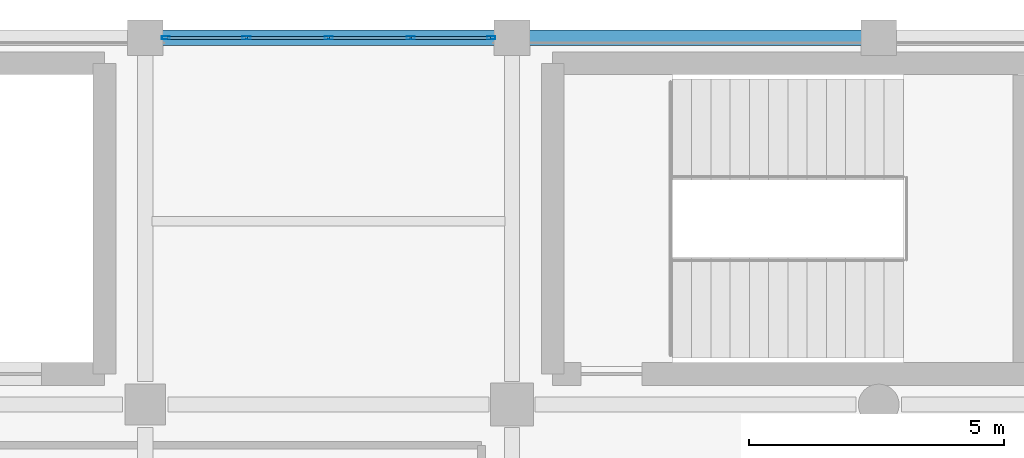
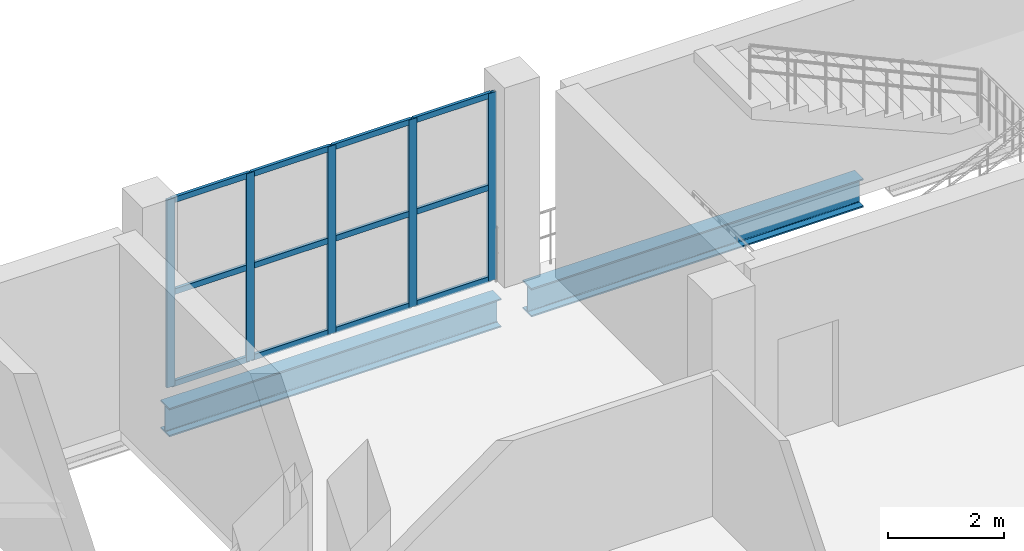
# One storey, part 114 of 153: 17 members, 2 beams, 1 element without a shape of its own.
"""IFC4 building model written with IfcOpenShell, lengths in metres."""

from ifc_helpers import new_model, si_unit, direction, frame, origin, origin_2d, place, context, subcontext, project, spatial, hollow_rectangle, i_section, extrude, material, material_profile, profile_set, type_object, element, aggregate, save


model = new_model("IFC4")

# Units and contexts
model_context = context("Model", 3, precision=1e-05, world=origin(), true_north=direction((0.0, 1.0)))
body_context = subcontext(model_context, "Body", "Model", "MODEL_VIEW")
ifc_project = project(units=[si_unit("LENGTHUNIT", "METRE"), si_unit("AREAUNIT", "SQUARE_METRE"), si_unit("VOLUMEUNIT", "CUBIC_METRE"), si_unit("PLANEANGLEUNIT", "RADIAN"), si_unit("MASSUNIT", "GRAM", prefix="KILO")], contexts=[model_context])

# Site, building, storey
site_placement = place(None, origin())
site = spatial("IfcSite", under=ifc_project, at=site_placement, CompositionType="ELEMENT")
building_placement = place(site_placement, origin())
building = spatial("IfcBuilding", under=site, at=building_placement, Name="Qandorah Velis Arena", CompositionType="ELEMENT")
storey_placement = place(building_placement, frame((0.0, 0.0, 5.39990234375)))
storey = spatial("IfcBuildingStorey", under=building, at=storey_placement, Name="L01", CompositionType="ELEMENT", Elevation=5.39990234375)

# Curtain wall, members
ifc_material_1 = material(Name="Solar-control low-E double glazing", Category="glass")
curtain_wall_type = type_object("IfcCurtainWallType", Name="ARC-CW-SYS11", PredefinedType="USERDEFINED", material=ifc_material_1)
curtain_wall_placement = place(storey_placement, origin())
curtain_wall = element("IfcCurtainWall", 1, at=curtain_wall_placement, inside=storey, type_object=curtain_wall_type, Name="Unitised curtain wall L01-083", ObjectType="UNITISED CURTAIN WALL", PredefinedType="USERDEFINED")
ifc_material_2 = material(Name="Champagne-bronze anodized aluminium 6063-T6", Category="aluminium")
ifc_material_profile_1 = material_profile(ifc_material_2, hollow_rectangle(XDim=0.06005859375, YDim=0.159912109375, WallThickness=0.00341796875, at=origin_2d()), Name="ALU MULLION 60x160")
ifc_profile_set_1 = profile_set([ifc_material_profile_1], Name="Champagne-bronze anodized aluminium 6063-T6")
member_type_1 = type_object("IfcMemberType", Name="ARC-CWM-160", PredefinedType="MULLION", material=ifc_profile_set_1)
member_1_placement = place(storey_placement, frame((65.205078125, 129.60009765625, -0.014892578125), z_axis=(0.0, 0.0, 1.0), x_axis=(0.0, 1.0, 0.0)))
member_1 = element("IfcMember", 2, at=member_1_placement, type_object=member_type_1, Name="CW11 mullion 1", PredefinedType="MULLION", context=body_context, shape_type="SweptSolid", body=[
    extrude(hollow_rectangle(XDim=0.06005859375, YDim=0.159912109375, WallThickness=0.00341796875, at=origin_2d()), origin(), (0.0, 0.0, 1.0), 3.949951171875),
])
member_2_placement = place(storey_placement, frame((66.78759765625, 129.60009765625, -0.014892578125), z_axis=(0.0, 0.0, 1.0), x_axis=(0.0, 1.0, 0.0)))
member_2 = element("IfcMember", 3, at=member_2_placement, type_object=member_type_1, Name="CW11 mullion 2", PredefinedType="MULLION", context=body_context, shape_type="SweptSolid", body=[
    extrude(hollow_rectangle(XDim=0.06005859375, YDim=0.159912109375, WallThickness=0.00341796875, at=origin_2d()), origin(), (0.0, 0.0, 1.0), 3.949951171875),
])
member_3_placement = place(storey_placement, frame((68.39990234375, 129.60009765625, -0.014892578125), z_axis=(0.0, 0.0, 1.0), x_axis=(0.0, 1.0, 0.0)))
member_3 = element("IfcMember", 4, at=member_3_placement, type_object=member_type_1, Name="CW11 mullion 3", PredefinedType="MULLION", context=body_context, shape_type="SweptSolid", body=[
    extrude(hollow_rectangle(XDim=0.06005859375, YDim=0.159912109375, WallThickness=0.00341796875, at=origin_2d()), origin(), (0.0, 0.0, 1.0), 3.949951171875),
])
member_4_placement = place(storey_placement, frame((70.012451171875, 129.60009765625, -0.014892578125), z_axis=(0.0, 0.0, 1.0), x_axis=(0.0, 1.0, 0.0)))
member_4 = element("IfcMember", 5, at=member_4_placement, type_object=member_type_1, Name="CW11 mullion 4", PredefinedType="MULLION", context=body_context, shape_type="SweptSolid", body=[
    extrude(hollow_rectangle(XDim=0.06005859375, YDim=0.159912109375, WallThickness=0.00341796875, at=origin_2d()), origin(), (0.0, 0.0, 1.0), 3.949951171875),
])
member_5_placement = place(storey_placement, frame((71.594970703125, 129.60009765625, -0.014892578125), z_axis=(0.0, 0.0, 1.0), x_axis=(0.0, 1.0, 0.0)))
member_5 = element("IfcMember", 6, at=member_5_placement, type_object=member_type_1, Name="CW11 mullion 5", PredefinedType="MULLION", context=body_context, shape_type="SweptSolid", body=[
    extrude(hollow_rectangle(XDim=0.06005859375, YDim=0.159912109375, WallThickness=0.00341796875, at=origin_2d()), origin(), (0.0, 0.0, 1.0), 3.949951171875),
])
ifc_material_profile_2 = material_profile(ifc_material_2, hollow_rectangle(XDim=0.06005859375, YDim=0.1201171875, WallThickness=0.0029296875, at=origin_2d()), Name="ALU TRANSOM 60x120")
ifc_profile_set_2 = profile_set([ifc_material_profile_2], Name="Champagne-bronze anodized aluminium 6063-T6")
member_type_2 = type_object("IfcMemberType", Name="ARC-CWT-120", PredefinedType="USERDEFINED", material=ifc_profile_set_2)
member_6_placement = place(storey_placement, frame((65.222900390625, 129.60009765625, 0.030029296875), z_axis=(1.0, 0.0, 0.0), x_axis=(0.0, 1.0, 0.0)))
member_6 = element("IfcMember", 7, at=member_6_placement, type_object=member_type_2, Name="CW11 transom 1.1", ObjectType="TRANSOM", PredefinedType="USERDEFINED", context=body_context, shape_type="SweptSolid", body=[
    extrude(hollow_rectangle(XDim=0.06005859375, YDim=0.1201171875, WallThickness=0.0029296875, at=origin_2d()), origin(), (0.0, 0.0, 1.0), 1.546630859375),
])
member_7_placement = place(storey_placement, frame((65.222900390625, 129.60009765625, 1.960205078125), z_axis=(1.0, 0.0, 0.0), x_axis=(0.0, 1.0, 0.0)))
member_7 = element("IfcMember", 8, at=member_7_placement, type_object=member_type_2, Name="CW11 transom 1.2", ObjectType="TRANSOM", PredefinedType="USERDEFINED", context=body_context, shape_type="SweptSolid", body=[
    extrude(hollow_rectangle(XDim=0.06005859375, YDim=0.1201171875, WallThickness=0.0029296875, at=origin_2d()), origin(), (0.0, 0.0, 1.0), 1.546630859375),
])
member_8_placement = place(storey_placement, frame((65.222900390625, 129.60009765625, 3.89013671875), z_axis=(1.0, 0.0, 0.0), x_axis=(0.0, 1.0, 0.0)))
member_8 = element("IfcMember", 9, at=member_8_placement, type_object=member_type_2, Name="CW11 transom 1.3", ObjectType="TRANSOM", PredefinedType="USERDEFINED", context=body_context, shape_type="SweptSolid", body=[
    extrude(hollow_rectangle(XDim=0.06005859375, YDim=0.1201171875, WallThickness=0.0029296875, at=origin_2d()), origin(), (0.0, 0.0, 1.0), 1.546630859375),
])
member_9_placement = place(storey_placement, frame((66.805419921875, 129.60009765625, 0.030029296875), z_axis=(1.0, 0.0, 0.0), x_axis=(0.0, 1.0, 0.0)))
member_9 = element("IfcMember", 10, at=member_9_placement, type_object=member_type_2, Name="CW11 transom 2.1", ObjectType="TRANSOM", PredefinedType="USERDEFINED", context=body_context, shape_type="SweptSolid", body=[
    extrude(hollow_rectangle(XDim=0.06005859375, YDim=0.1201171875, WallThickness=0.0029296875, at=origin_2d()), origin(), (0.0, 0.0, 1.0), 1.57666015625),
])
member_10_placement = place(storey_placement, frame((66.805419921875, 129.60009765625, 1.960205078125), z_axis=(1.0, 0.0, 0.0), x_axis=(0.0, 1.0, 0.0)))
member_10 = element("IfcMember", 11, at=member_10_placement, type_object=member_type_2, Name="CW11 transom 2.2", ObjectType="TRANSOM", PredefinedType="USERDEFINED", context=body_context, shape_type="SweptSolid", body=[
    extrude(hollow_rectangle(XDim=0.06005859375, YDim=0.1201171875, WallThickness=0.0029296875, at=origin_2d()), origin(), (0.0, 0.0, 1.0), 1.57666015625),
])
member_11_placement = place(storey_placement, frame((66.805419921875, 129.60009765625, 3.89013671875), z_axis=(1.0, 0.0, 0.0), x_axis=(0.0, 1.0, 0.0)))
member_11 = element("IfcMember", 12, at=member_11_placement, type_object=member_type_2, Name="CW11 transom 2.3", ObjectType="TRANSOM", PredefinedType="USERDEFINED", context=body_context, shape_type="SweptSolid", body=[
    extrude(hollow_rectangle(XDim=0.06005859375, YDim=0.1201171875, WallThickness=0.0029296875, at=origin_2d()), origin(), (0.0, 0.0, 1.0), 1.57666015625),
])
member_12_placement = place(storey_placement, frame((68.41796875, 129.60009765625, 0.030029296875), z_axis=(1.0, 0.0, 0.0), x_axis=(0.0, 1.0, 0.0)))
member_12 = element("IfcMember", 13, at=member_12_placement, type_object=member_type_2, Name="CW11 transom 3.1", ObjectType="TRANSOM", PredefinedType="USERDEFINED", context=body_context, shape_type="SweptSolid", body=[
    extrude(hollow_rectangle(XDim=0.06005859375, YDim=0.1201171875, WallThickness=0.0029296875, at=origin_2d()), origin(), (0.0, 0.0, 1.0), 1.576416015625),
])
member_13_placement = place(storey_placement, frame((68.41796875, 129.60009765625, 1.960205078125), z_axis=(1.0, 0.0, 0.0), x_axis=(0.0, 1.0, 0.0)))
member_13 = element("IfcMember", 14, at=member_13_placement, type_object=member_type_2, Name="CW11 transom 3.2", ObjectType="TRANSOM", PredefinedType="USERDEFINED", context=body_context, shape_type="SweptSolid", body=[
    extrude(hollow_rectangle(XDim=0.06005859375, YDim=0.1201171875, WallThickness=0.0029296875, at=origin_2d()), origin(), (0.0, 0.0, 1.0), 1.576416015625),
])
member_14_placement = place(storey_placement, frame((68.41796875, 129.60009765625, 3.89013671875), z_axis=(1.0, 0.0, 0.0), x_axis=(0.0, 1.0, 0.0)))
member_14 = element("IfcMember", 15, at=member_14_placement, type_object=member_type_2, Name="CW11 transom 3.3", ObjectType="TRANSOM", PredefinedType="USERDEFINED", context=body_context, shape_type="SweptSolid", body=[
    extrude(hollow_rectangle(XDim=0.06005859375, YDim=0.1201171875, WallThickness=0.0029296875, at=origin_2d()), origin(), (0.0, 0.0, 1.0), 1.576416015625),
])
member_15_placement = place(storey_placement, frame((70.030517578125, 129.60009765625, 0.030029296875), z_axis=(1.0, 0.0, 0.0), x_axis=(0.0, 1.0, 0.0)))
member_15 = element("IfcMember", 16, at=member_15_placement, type_object=member_type_2, Name="CW11 transom 4.1", ObjectType="TRANSOM", PredefinedType="USERDEFINED", context=body_context, shape_type="SweptSolid", body=[
    extrude(hollow_rectangle(XDim=0.06005859375, YDim=0.1201171875, WallThickness=0.0029296875, at=origin_2d()), origin(), (0.0, 0.0, 1.0), 1.54638671875),
])
member_16_placement = place(storey_placement, frame((70.030517578125, 129.60009765625, 1.960205078125), z_axis=(1.0, 0.0, 0.0), x_axis=(0.0, 1.0, 0.0)))
member_16 = element("IfcMember", 17, at=member_16_placement, type_object=member_type_2, Name="CW11 transom 4.2", ObjectType="TRANSOM", PredefinedType="USERDEFINED", context=body_context, shape_type="SweptSolid", body=[
    extrude(hollow_rectangle(XDim=0.06005859375, YDim=0.1201171875, WallThickness=0.0029296875, at=origin_2d()), origin(), (0.0, 0.0, 1.0), 1.54638671875),
])
member_17_placement = place(storey_placement, frame((70.030517578125, 129.60009765625, 3.89013671875), z_axis=(1.0, 0.0, 0.0), x_axis=(0.0, 1.0, 0.0)))
member_17 = element("IfcMember", 18, at=member_17_placement, type_object=member_type_2, Name="CW11 transom 4.3", ObjectType="TRANSOM", PredefinedType="USERDEFINED", context=body_context, shape_type="SweptSolid", body=[
    extrude(hollow_rectangle(XDim=0.06005859375, YDim=0.1201171875, WallThickness=0.0029296875, at=origin_2d()), origin(), (0.0, 0.0, 1.0), 1.54638671875),
])
aggregate(curtain_wall, [member_1, member_2, member_3, member_4, member_5, member_6, member_7, member_8, member_9, member_10, member_11, member_12, member_13, member_14, member_15, member_16, member_17])

# Beams
ifc_material_3 = material(Name="Steel S355", Category="steel")
ifc_material_profile_3 = material_profile(ifc_material_3, i_section(OverallWidth=0.300048828125, OverallDepth=0.60009765625, WebThickness=0.015380859375, FlangeThickness=0.030029296875, FilletRadius=0.027099609375, at=origin_2d()), Name="HEB 600")
ifc_profile_set_3 = profile_set([ifc_material_profile_3], Name="Steel S355")
beam_type = type_object("IfcBeamType", Name="STR-BM-HEB600", PredefinedType="BEAM", material=ifc_profile_set_3)
for number, where, z_axis, x_axis, name in (
    (19, (65.10009765625, 129.60009765625, -0.659912109375), (1.0, 0.0, 0.0), (0.0, 1.0, 0.0), "Primary floor girder L01 X-213"),
    (20, (72.300048828125, 129.60009765625, -0.659912109375), (1.0, 0.0, 0.0), (0.0, 1.0, 0.0), "Primary floor girder L01 X-214"),
):
    element("IfcBeam", number, at=place(storey_placement, frame(where, z_axis=z_axis, x_axis=x_axis)), inside=storey, type_object=beam_type, Name=name, PredefinedType="BEAM", context=body_context, shape_type="SweptSolid", body=[
        extrude(i_section(OverallWidth=0.300048828125, OverallDepth=0.60009765625, WebThickness=0.015380859375, FlangeThickness=0.030029296875, FilletRadius=0.027099609375, at=origin_2d()), origin(), (0.0, 0.0, 1.0), 6.599853515625),
    ])

save(model, "model.ifc")
